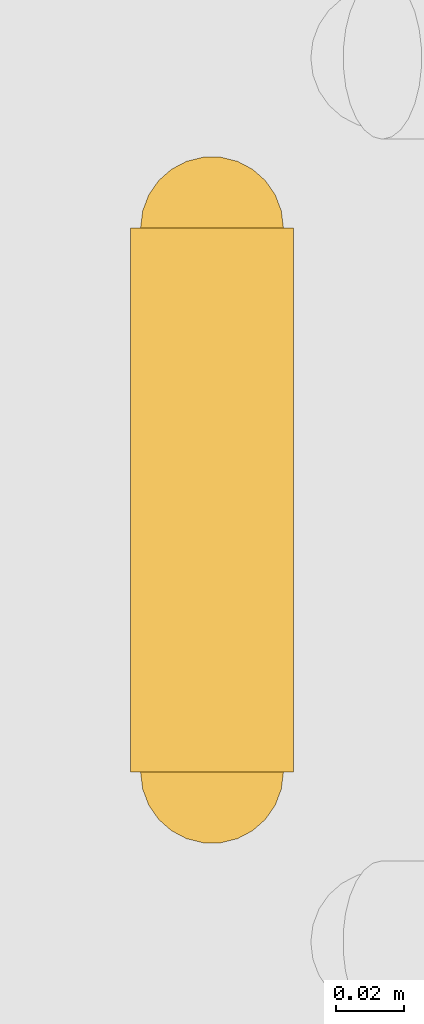
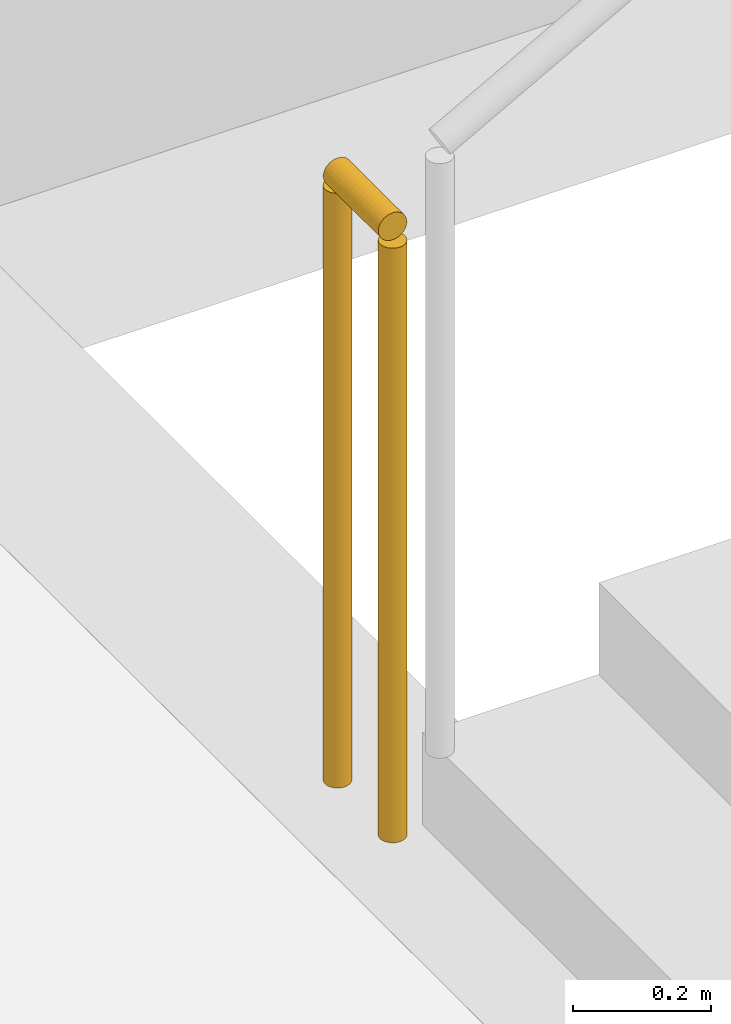
# One storey, part 82 of 86: 1 railing.
"""IFC4 building model written with IfcOpenShell, lengths in metres."""

from ifc_helpers import new_model, si_unit, direction, frame, origin, origin_2d, place, context, subcontext, project, spatial, circle, extrude, material, type_object, element, save


model = new_model("IFC4")

# Units and contexts
model_context = context("Model", 3, precision=1e-05, world=origin(), true_north=direction((0.0, 1.0)))
body_context = subcontext(model_context, "Body", "Model", "MODEL_VIEW")
ifc_project = project(units=[si_unit("LENGTHUNIT", "METRE"), si_unit("AREAUNIT", "SQUARE_METRE"), si_unit("VOLUMEUNIT", "CUBIC_METRE"), si_unit("PLANEANGLEUNIT", "RADIAN"), si_unit("MASSUNIT", "GRAM", prefix="KILO")], contexts=[model_context])

# Site, building, storey
site_placement = place(None, origin())
site = spatial("IfcSite", under=ifc_project, at=site_placement, CompositionType="ELEMENT")
building_placement = place(site_placement, origin())
building = spatial("IfcBuilding", under=site, at=building_placement, Name="Bramfleet General Hospital", CompositionType="ELEMENT")
storey_placement = place(building_placement, frame((0.0, 0.0, 18.60009765625)))
storey = spatial("IfcBuildingStorey", under=building, at=storey_placement, Name="L04", CompositionType="ELEMENT", Elevation=18.60009765625)

# Railing
ifc_material = material(Name="Powder-coated steel stair balustrade", Category="steel")
railing_type = type_object("IfcRailingType", Name="RAIL-ST-GUARD", PredefinedType="GUARDRAIL", material=ifc_material)
railing_placement = place(storey_placement, frame((136.18994140625, 102.719970703125, 0.0)))
element("IfcRailing", 1, at=railing_placement, inside=storey, type_object=railing_type, Name="L04 ST-C9 stair guard 4", PredefinedType="GUARDRAIL", context=body_context, shape_type="SweptSolid", body=[
    extrude(circle(Radius=0.02392578125, at=origin_2d()), frame((0.0, 0.0, 1.076171875), z_axis=(0.0, 1.0, 0.0), x_axis=(-1.0, 0.0, 0.0)), (0.0, 0.0, 1.0), 0.159912109375),
    extrude(circle(Radius=0.02099609375, at=origin_2d()), origin(), (0.0, 0.0, 1.0), 1.052001953125),
    extrude(circle(Radius=0.02099609375, at=origin_2d()), frame((0.0, 0.159912109375, 0.0)), (0.0, 0.0, 1.0), 1.052001953125),
])

save(model, "model.ifc")
